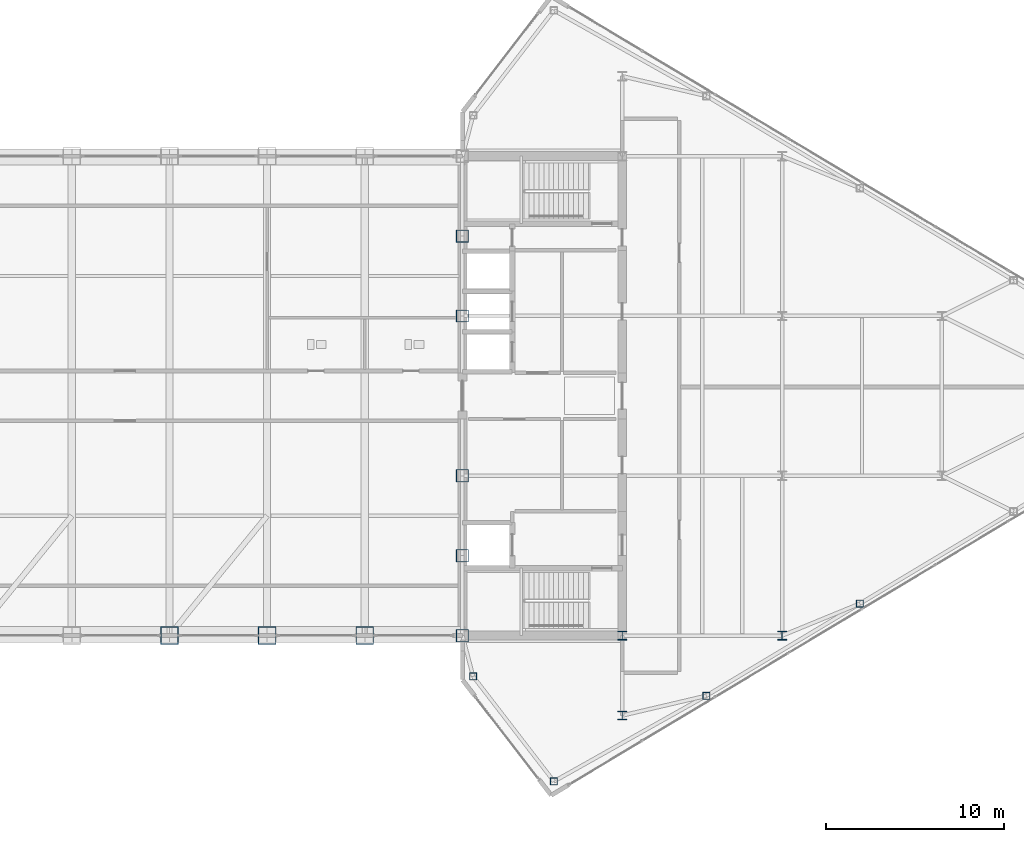
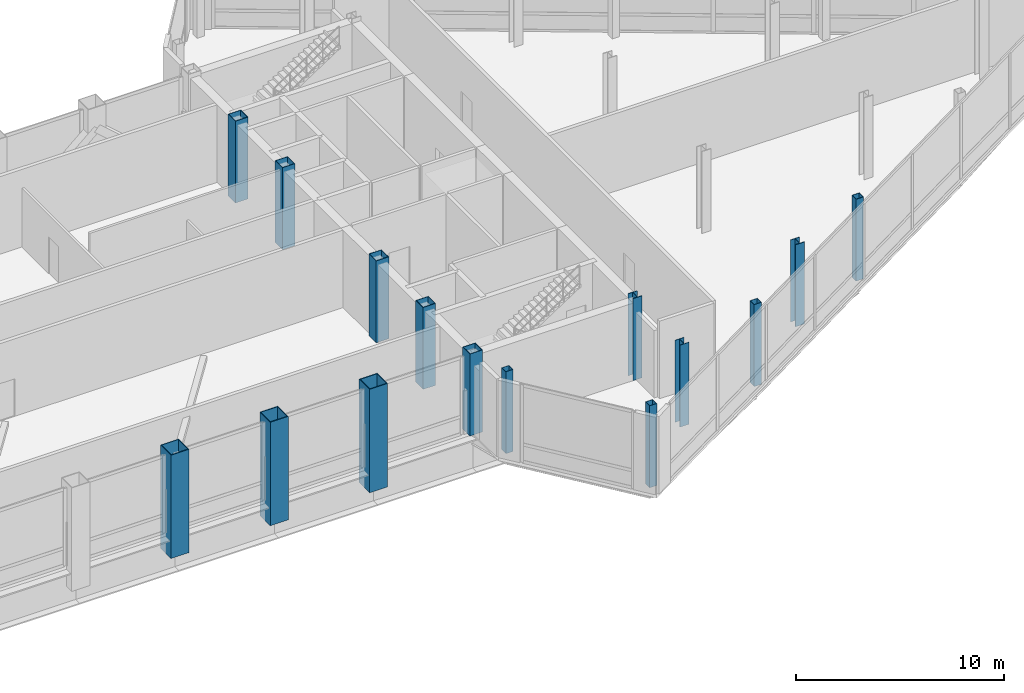
# One storey, part 4 of 29: 15 columns.
"""IFC4 building model written with IfcOpenShell, lengths in metres."""

from ifc_helpers import new_model, si_unit, direction, frame, origin, origin_2d, place, context, subcontext, project, spatial, hollow_rectangle, i_section, extrude, source, transform, mapped, material, material_profile, profile_set, type_object, type_shapes, element, save


model = new_model("IFC4")

# Units and contexts
model_context = context("Model", 3, precision=1e-05, world=origin(), true_north=direction((0.0, 1.0)))
body_context = subcontext(model_context, "Body", "Model", "MODEL_VIEW")
ifc_project = project(units=[si_unit("LENGTHUNIT", "METRE"), si_unit("AREAUNIT", "SQUARE_METRE"), si_unit("VOLUMEUNIT", "CUBIC_METRE"), si_unit("PLANEANGLEUNIT", "RADIAN"), si_unit("MASSUNIT", "GRAM", prefix="KILO")], contexts=[model_context])

# Site, building, storey
site_placement = place(None, origin())
site = spatial("IfcSite", under=ifc_project, at=site_placement, CompositionType="ELEMENT")
building_placement = place(site_placement, origin())
building = spatial("IfcBuilding", under=site, at=building_placement, Name="Seokmaru Belvedere", CompositionType="ELEMENT")
storey_placement = place(building_placement, frame((0.0, 0.0, 229.800048828125)))
storey = spatial("IfcBuildingStorey", under=building, at=storey_placement, Name="L61", CompositionType="ELEMENT", Elevation=229.800048828125)

# Columns
ifc_material_1 = material(Name="Steel SM355 (355 MPa)", Category="steel")
ifc_material_profile_1 = material_profile(ifc_material_1, hollow_rectangle(XDim=0.699951171875, YDim=0.699951171875, WallThickness=0.030029296875, at=origin_2d()), Name="BOX-700x700x30")
ifc_profile_set_1 = profile_set([ifc_material_profile_1], Name="Steel SM355 (355 MPa)")
column_type_1 = type_object("IfcColumnType", Name="Upper Spine Column BOX-700", PredefinedType="COLUMN", material=ifc_profile_set_1)
shared_shape_1 = source(origin(), body_context, "Body", "SweptSolid", [
    extrude(hollow_rectangle(XDim=0.699951171875, YDim=0.699951171875, WallThickness=0.030029296875, at=origin_2d()), origin(), (0.0, 0.0, 1.0), 4.800048828125),
])
type_shapes(column_type_1, [shared_shape_1])
for number, where, z_axis, x_axis, name in (
    (1, (27.5, -13.5, 0.0), (0.0, 0.0, 1.0), (1.0, 0.0, 0.0), "L61 Column ES1"),
    (2, (27.5, -9.0, 0.0), (0.0, 0.0, 1.0), (1.0, 0.0, 0.0), "L61 Column ES2"),
    (3, (27.5, -4.5, 0.0), (0.0, 0.0, 1.0), (1.0, 0.0, 0.0), "L61 Column ES3"),
    (4, (27.5, 4.5, 0.0), (0.0, 0.0, 1.0), (1.0, 0.0, 0.0), "L61 Column ES4"),
    (5, (27.5, 9.0, 0.0), (0.0, 0.0, 1.0), (1.0, 0.0, 0.0), "L61 Column ES5"),
):
    element("IfcColumn", number, at=place(storey_placement, frame(where, z_axis=z_axis, x_axis=x_axis)), inside=storey, type_object=column_type_1, Name=name, PredefinedType="COLUMN", context=body_context, shape_type="MappedRepresentation", body=[
        mapped(shared_shape_1, transform((0.0, 0.0, 0.0), scale=1.0)),
    ])
ifc_material_profile_2 = material_profile(ifc_material_1, i_section(OverallWidth=0.5, OverallDepth=0.5, WebThickness=0.02001953125, FlangeThickness=0.031982421875, at=origin_2d()), Name="H-500x500x20x32")
ifc_profile_set_2 = profile_set([ifc_material_profile_2], Name="Steel SM355 (355 MPa)")
column_type_2 = type_object("IfcColumnType", Name="High-Rise Interior Column H-500", PredefinedType="COLUMN", material=ifc_profile_set_2)
shared_shape_2 = source(origin(), body_context, "Body", "SweptSolid", [
    extrude(i_section(OverallWidth=0.5, OverallDepth=0.5, WebThickness=0.02001953125, FlangeThickness=0.031982421875, at=origin_2d()), origin(), (0.0, 0.0, 1.0), 4.800048828125),
])
type_shapes(column_type_2, [shared_shape_2])
for number, where, z_axis, x_axis, name in (
    (6, (36.5, -18.0, 0.0), (0.0, 0.0, 1.0), (1.0, 0.0, 0.0), "L61 Column EC1"),
    (7, (36.5, -13.5, 0.0), (0.0, 0.0, 1.0), (1.0, 0.0, 0.0), "L61 Column EC2"),
    (8, (45.5, -13.5, 0.0), (0.0, 0.0, 1.0), (1.0, 0.0, 0.0), "L61 Column EG5_1"),
):
    element("IfcColumn", number, at=place(storey_placement, frame(where, z_axis=z_axis, x_axis=x_axis)), inside=storey, type_object=column_type_2, Name=name, PredefinedType="COLUMN", context=body_context, shape_type="MappedRepresentation", body=[
        mapped(shared_shape_2, transform((0.0, 0.0, 0.0), scale=1.0)),
    ])
ifc_material_profile_3 = material_profile(ifc_material_1, hollow_rectangle(XDim=0.39990234375, YDim=0.39990234375, WallThickness=0.01611328125, at=origin_2d()), Name="HSS-400x400x16")
ifc_profile_set_3 = profile_set([ifc_material_profile_3], Name="Steel SM355 (355 MPa)")
column_type_3 = type_object("IfcColumnType", Name="Perimeter Facet Column HSS-400", PredefinedType="COLUMN", material=ifc_profile_set_3)
shared_shape_3 = source(origin(), body_context, "Body", "SweptSolid", [
    extrude(hollow_rectangle(XDim=0.39990234375, YDim=0.39990234375, WallThickness=0.01611328125, at=origin_2d()), origin(), (0.0, 0.0, 1.0), 4.800048828125),
])
type_shapes(column_type_3, [shared_shape_3])
for number, where, z_axis, x_axis, name in (
    (9, (32.649658203125, -21.71044921875, 0.0), (0.0, 0.0, 1.0), (1.0, 0.0, 0.0), "L61 Column EF1"),
    (10, (28.10009765625, -15.7958984375, 0.0), (0.0, 0.0, 1.0), (1.0, 0.0, 0.0), "L61 Column EF6"),
    (11, (41.229736328125, -16.888916015625, 0.0), (0.0, 0.0, 1.0), (1.0, 0.0, 0.0), "L61 Column EFLK_S1"),
    (12, (49.8798828125, -11.698974609375, 0.0), (0.0, 0.0, 1.0), (1.0, 0.0, 0.0), "L61 Column EFLK_S2"),
):
    element("IfcColumn", number, at=place(storey_placement, frame(where, z_axis=z_axis, x_axis=x_axis)), inside=storey, type_object=column_type_3, Name=name, PredefinedType="COLUMN", context=body_context, shape_type="MappedRepresentation", body=[
        mapped(shared_shape_3, transform((0.0, 0.0, 0.0), scale=1.0)),
    ])
ifc_material_2 = material(Name="Steel HSA650 (650 MPa)", Category="steel")
ifc_material_profile_4 = material_profile(ifc_material_2, hollow_rectangle(XDim=1.0, YDim=1.0, WallThickness=0.0419921875, at=origin_2d()), Name="BOX-1000x1000x42")
ifc_profile_set_4 = profile_set([ifc_material_profile_4], Name="Steel HSA650 (650 MPa)")
column_type_4 = type_object("IfcColumnType", Name="Portal Spine Column BOX-1000", PredefinedType="COLUMN", material=ifc_profile_set_4)
shared_shape_4 = source(origin(), body_context, "Body", "SweptSolid", [
    extrude(hollow_rectangle(XDim=1.0, YDim=1.0, WallThickness=0.0419921875, at=origin_2d()), origin(), (0.0, 0.0, 1.0), 6.06005859375),
])
type_shapes(column_type_4, [shared_shape_4])
for number, where, z_axis, x_axis, name in (
    (13, (11.0, -13.5, -1.260009765625), (0.0, 0.0, 1.0), (1.0, 0.0, 0.0), "L61 Column BRS_7"),
    (14, (16.5, -13.5, -1.260009765625), (0.0, 0.0, 1.0), (1.0, 0.0, 0.0), "L61 Column BRS_8"),
    (15, (22.0, -13.5, -1.260009765625), (0.0, 0.0, 1.0), (1.0, 0.0, 0.0), "L61 Column BRS_9"),
):
    element("IfcColumn", number, at=place(storey_placement, frame(where, z_axis=z_axis, x_axis=x_axis)), inside=storey, type_object=column_type_4, Name=name, PredefinedType="COLUMN", context=body_context, shape_type="MappedRepresentation", body=[
        mapped(shared_shape_4, transform((0.0, 0.0, 0.0), scale=1.0)),
    ])

save(model, "model.ifc")
